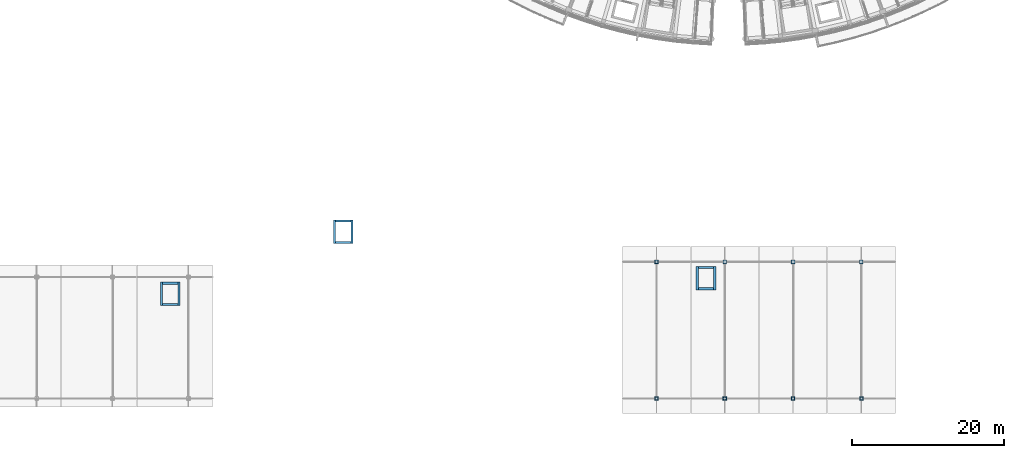
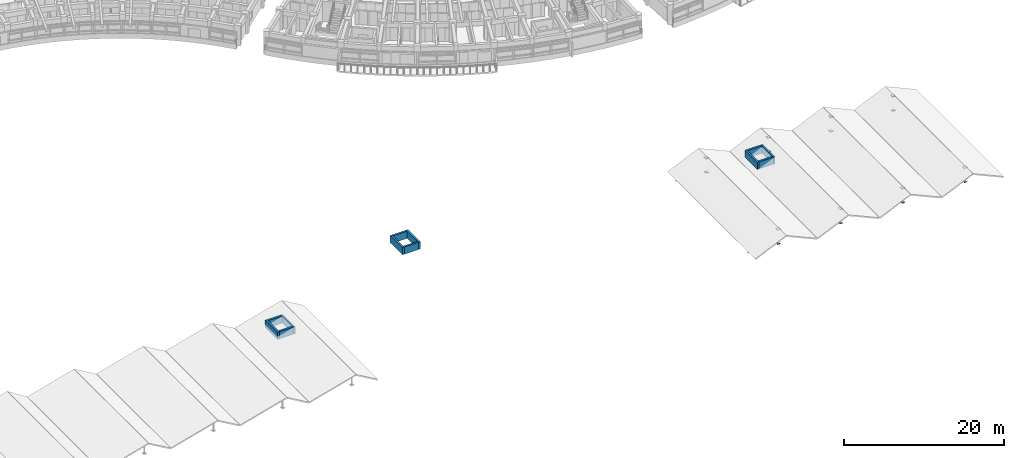
# One storey, part 40 of 70: 16 plates, 12 walls.
"""IFC4 building model written with IfcOpenShell, lengths in metres."""

import ifcopenshell
import ifcopenshell.guid

model = None  # the IFC model being written
_history = None  # IfcOwnerHistory: only IFC2X3 demands one
_inside = {}  # id of a spatial element -> (the spatial element, [elements in it])
_under = {}  # id of a project, library or spatial element -> (it, [spatial elements below it])
_declared = {}  # id of a project -> (the project, [libraries it declares])
_typed = {}  # id of a type object -> (the type object, [elements of that type])
_made_of = {}  # id of a material, layer set ... -> (it, [elements and type objects made of it])


def new_model(schema):
    """Start an empty IFC model of exactly this schema.

    Asked for "IFC4X3", IfcOpenShell would pick the latest addendum, in which some entities
    have other attributes; the version numbers below select the first issue.
    IFC2X3 requires an IfcOwnerHistory on every rooted entity: one is made here for all.
    """
    global model, _history
    if schema == "IFC4X3":
        model = ifcopenshell.file(schema_version=(4, 3, 0, 0))
    else:
        model = ifcopenshell.file(schema=schema)
    _inside.clear()
    _under.clear()
    _declared.clear()
    _typed.clear()
    _made_of.clear()
    _history = None
    if model.schema == "IFC2X3":
        org = make("IfcOrganization", Name="unknown")
        user = make(
            "IfcPersonAndOrganization",
            ThePerson=make("IfcPerson", FamilyName="unknown"),
            TheOrganization=org,
        )
        app = make(
            "IfcApplication",
            ApplicationDeveloper=org,
            Version="unknown",
            ApplicationFullName="unknown",
            ApplicationIdentifier="unknown",
        )
        _history = make(
            "IfcOwnerHistory",
            OwningUser=user,
            OwningApplication=app,
            ChangeAction="ADDED",
            CreationDate=0,
        )
    return model


def make(cls, **values):
    """One entity of the class cls with the attributes given. An attribute that is None is left unset."""
    return model.create_entity(
        cls, **{name: value for name, value in values.items() if value is not None}
    )


def rooted(cls, **values):
    """An entity with a GlobalId (a new one), such as an element, a storey or a relation."""
    return make(cls, GlobalId=ifcopenshell.guid.new(), OwnerHistory=_history, **values)


def si_unit(unit_type, name, prefix=None):
    """IfcSIUnit, for example si_unit("LENGTHUNIT", "METRE", prefix="MILLI")."""
    return make("IfcSIUnit", UnitType=unit_type, Prefix=prefix, Name=name)


def assignment(units):
    """IfcUnitAssignment: the units of a project."""
    return None if units is None else make("IfcUnitAssignment", Units=units)


def point(xyz):
    """IfcCartesianPoint."""
    return None if xyz is None else make("IfcCartesianPoint", Coordinates=xyz)


def direction(xyz):
    """IfcDirection."""
    return None if xyz is None else make("IfcDirection", DirectionRatios=xyz)


def frame(location, z_axis=None, x_axis=None):
    """IfcAxis2Placement3D, a coordinate frame: its origin and axes. An axis left out is left unset."""
    return make(
        "IfcAxis2Placement3D",
        Location=point(location),
        Axis=direction(z_axis),
        RefDirection=direction(x_axis),
    )


def frame_2d(location, x_axis=None):
    """IfcAxis2Placement2D, a coordinate frame in the plane: its origin and x axis."""
    return make(
        "IfcAxis2Placement2D", Location=point(location), RefDirection=direction(x_axis)
    )


def origin():
    """The frame at (0, 0, 0) with its axes left unset."""
    return frame((0.0, 0.0, 0.0))


def origin_2d():
    """The frame at (0, 0) in the plane with its x axis left unset."""
    return frame_2d((0.0, 0.0))


def place(relative_to, where):
    """IfcLocalPlacement: puts the frame where relative to a parent placement (None: the world)."""
    return make(
        "IfcLocalPlacement", PlacementRelTo=relative_to, RelativePlacement=where
    )


def context(
    kind, dimensions, precision=None, world=None, true_north=None, identifier=None
):
    """IfcGeometricRepresentationContext, for example the 3D "Model" context."""
    return make(
        "IfcGeometricRepresentationContext",
        ContextIdentifier=identifier,
        ContextType=kind,
        CoordinateSpaceDimension=dimensions,
        Precision=precision,
        WorldCoordinateSystem=world,
        TrueNorth=true_north,
    )


def subcontext(parent, identifier, kind, view, scale=None):
    """IfcGeometricRepresentationSubContext, for example "Body" below "Model"."""
    return make(
        "IfcGeometricRepresentationSubContext",
        ContextIdentifier=identifier,
        ContextType=kind,
        ParentContext=parent,
        TargetScale=scale,
        TargetView=view,
    )


def project(units=None, contexts=None):
    """IfcProject with its units and contexts."""
    return rooted(
        "IfcProject",
        Name="project",
        RepresentationContexts=contexts,
        UnitsInContext=assignment(units),
    )


def spatial(cls, under=None, at=None, **own):
    """A site, building, storey or space (cls), placed at a placement, below another one or the project."""
    s = rooted(cls, ObjectPlacement=at, **own)
    if under is not None:
        _under.setdefault(under.id(), (under, []))[1].append(s)
    return s


def profile(cls, at=None, kind="AREA", **sizes):
    """A parametric profile (cls). Its sizes go by their IFC names, for example OverallWidth=200.0."""
    return make(cls, ProfileType=kind, Position=at, **sizes)


def rectangle(**sizes):
    """IfcRectangleProfileDef."""
    return profile("IfcRectangleProfileDef", **sizes)


def extrude(swept, where, along, depth):
    """IfcExtrudedAreaSolid: the profile swept, set in the frame where, extruded along a direction by depth."""
    return make(
        "IfcExtrudedAreaSolid",
        SweptArea=swept,
        Position=where,
        ExtrudedDirection=direction(along),
        Depth=depth,
    )


def shape(context_of_items, identifier, shape_type, items):
    """IfcShapeRepresentation: the items that make up one representation, for example the "Body"."""
    return make(
        "IfcShapeRepresentation",
        ContextOfItems=context_of_items,
        RepresentationIdentifier=identifier,
        RepresentationType=shape_type,
        Items=items,
    )


def material(Name=None, Category=None):
    """IfcMaterial."""
    return make("IfcMaterial", Name=Name, Category=Category)


def layer(
    of_material, thickness, ventilated=None, Name=None, Category=None, Priority=None
):
    """IfcMaterialLayer: one layer of a wall or slab, of a material (None: an air gap)."""
    return make(
        "IfcMaterialLayer",
        Material=of_material,
        LayerThickness=thickness,
        IsVentilated=ventilated,
        Name=Name,
        Category=Category,
        Priority=Priority,
    )


def layer_set(layers, Name=None):
    """IfcMaterialLayerSet."""
    return make("IfcMaterialLayerSet", MaterialLayers=layers, LayerSetName=Name)


def made_of(thing, what):
    """Note that an element or type object is made of a material, layer set ...; save() writes the relation."""
    if what is not None:
        _made_of.setdefault(what.id(), (what, []))[1].append(thing)
    return thing


def type_object(cls, material=None, **own):
    """A type object (cls), such as IfcWallType, which elements share."""
    return made_of(rooted(cls, **own), material)


def element(
    cls,
    number,
    at=None,
    inside=None,
    cuts=None,
    type_object=None,
    material=None,
    context=None,
    identifier="Body",
    shape_type=None,
    held_by="IfcProductDefinitionShape",
    body=None,
    shapes=None,
    **own,
):
    """One element of the class cls, such as IfcWall. Its Tag is "e" and its number.

    at: its placement. inside: the storey or other place that contains it. cuts: it is an
    opening in that element (IfcRelVoidsElement). A single representation is given by context,
    identifier, shape_type and body (its items); several are given by shapes. held_by: the class
    of the entity that holds the representations. save() writes the other relations.
    """
    e = rooted(cls, Tag="e%d" % number, ObjectPlacement=at, **own)
    if body is not None:
        shapes = [shape(context, identifier, shape_type, body)]
    if shapes is not None:
        e.Representation = make(held_by, Representations=shapes)
    if inside is not None:
        _inside.setdefault(inside.id(), (inside, []))[1].append(e)
    if cuts is not None:
        rooted(
            "IfcRelVoidsElement", RelatingBuildingElement=cuts, RelatedOpeningElement=e
        )
    if type_object is not None:
        _typed.setdefault(type_object.id(), (type_object, []))[1].append(e)
    return made_of(e, material)


def aggregate(whole, parts):
    """IfcRelAggregates: a whole, such as a stair, and the parts it consists of."""
    return rooted("IfcRelAggregates", RelatingObject=whole, RelatedObjects=parts)


def save(model, path):
    """Write the relations noted so far, then the file.

    IfcRelAggregates (storeys below a building ...), IfcRelContainedInSpatialStructure (elements
    in a storey), IfcRelDefinesByType, IfcRelAssociatesMaterial and IfcRelDeclares: one each for
    every whole, place, type object, material and project.
    """
    for whole, parts in _under.values():
        aggregate(whole, parts)
    for where, things in _inside.values():
        rooted(
            "IfcRelContainedInSpatialStructure",
            RelatedElements=things,
            RelatingStructure=where,
        )
    for kind, things in _typed.values():
        rooted("IfcRelDefinesByType", RelatedObjects=things, RelatingType=kind)
    for what, things in _made_of.values():
        rooted("IfcRelAssociatesMaterial", RelatedObjects=things, RelatingMaterial=what)
    for by, libraries in _declared.values():
        rooted("IfcRelDeclares", RelatingContext=by, RelatedDefinitions=libraries)
    model.write(path)


model = new_model("IFC4")

# Units and contexts
model_context = context("Model", 3, precision=1e-05, world=origin(), true_north=direction((0.0, 1.0)))
body_context = subcontext(model_context, "Body", "Model", "MODEL_VIEW")
ifc_project = project(units=[si_unit("LENGTHUNIT", "METRE"), si_unit("AREAUNIT", "SQUARE_METRE"), si_unit("VOLUMEUNIT", "CUBIC_METRE"), si_unit("PLANEANGLEUNIT", "RADIAN"), si_unit("MASSUNIT", "GRAM", prefix="KILO")], contexts=[model_context])

# Site, building, storey
site_placement = place(None, origin())
site = spatial("IfcSite", under=ifc_project, at=site_placement, CompositionType="ELEMENT")
building_placement = place(site_placement, origin())
building = spatial("IfcBuilding", under=site, at=building_placement, Name="Zimvara Arc Housing Community", CompositionType="ELEMENT")
storey_placement = place(building_placement, frame((0.0, 0.0, 8.10009765625)))
storey = spatial("IfcBuildingStorey", under=building, at=storey_placement, Name="L02", CompositionType="ELEMENT", Elevation=8.10009765625)

# Plates
ifc_material_1 = material(Name="Steel S355", Category="steel")
ifc_layer_1 = layer(ifc_material_1, 0.02490234375)
ifc_layer_set_1 = layer_set([ifc_layer_1], Name="Steel S355")
plate_type_1 = type_object("IfcPlateType", Name="PLT-CONN-01", PredefinedType="SHEET", material=ifc_layer_set_1)
for number, where, z_axis, x_axis, name in (
    (1, (116.5, 21.60009765625, -0.762451171875), (0.0, 0.0, 1.0), (1.0, 0.0, 0.0), "plate:brace_end:049"),
    (2, (125.5, 21.60009765625, -0.762451171875), (0.0, 0.0, 1.0), (1.0, 0.0, 0.0), "plate:brace_end:053"),
    (3, (134.5, 21.60009765625, -0.762451171875), (0.0, 0.0, 1.0), (1.0, 0.0, 0.0), "plate:brace_end:057"),
    (4, (143.5, 21.60009765625, -0.762451171875), (0.0, 0.0, 1.0), (1.0, 0.0, 0.0), "plate:brace_end:061"),
):
    element("IfcPlate", number, at=place(storey_placement, frame(where, z_axis=z_axis, x_axis=x_axis)), inside=storey, type_object=plate_type_1, Name=name, PredefinedType="SHEET", context=body_context, shape_type="SweptSolid", body=[
        extrude(rectangle(XDim=0.449951171875, YDim=0.449951171875, at=origin_2d()), origin(), (0.0, 0.0, 1.0), 0.02490234375),
    ])
ifc_material_2 = material(Name="Steel S355", Category="steel")
ifc_layer_2 = layer(ifc_material_2, 0.030029296875)
ifc_layer_set_2 = layer_set([ifc_layer_2], Name="Steel S355")
plate_type_2 = type_object("IfcPlateType", Name="PLT-CONN-02", PredefinedType="SHEET", material=ifc_layer_set_2)
for number, where, z_axis, x_axis, name in (
    (5, (116.5, 21.60009765625, 1.43505859375), (0.0, 0.0, 1.0), (1.0, 0.0, 0.0), "plate:brace_end:050"),
    (6, (125.5, 21.60009765625, 1.43505859375), (0.0, 0.0, 1.0), (1.0, 0.0, 0.0), "plate:brace_end:054"),
    (7, (134.5, 21.60009765625, 1.43505859375), (0.0, 0.0, 1.0), (1.0, 0.0, 0.0), "plate:brace_end:058"),
    (8, (143.5, 21.60009765625, 1.43505859375), (0.0, 0.0, 1.0), (1.0, 0.0, 0.0), "plate:brace_end:062"),
):
    element("IfcPlate", number, at=place(storey_placement, frame(where, z_axis=z_axis, x_axis=x_axis)), inside=storey, type_object=plate_type_2, Name=name, PredefinedType="SHEET", context=body_context, shape_type="SweptSolid", body=[
        extrude(rectangle(XDim=0.5, YDim=0.5, at=origin_2d()), origin(), (0.0, 0.0, 1.0), 0.030029296875),
    ])
ifc_material_3 = material(Name="Steel S355", Category="steel")
ifc_layer_3 = layer(ifc_material_3, 0.02197265625)
ifc_layer_set_3 = layer_set([ifc_layer_3], Name="Steel S355")
plate_type_3 = type_object("IfcPlateType", Name="PLT-CONN-03", PredefinedType="SHEET", material=ifc_layer_set_3)
for number, where, z_axis, x_axis, name in (
    (9, (116.5, 3.60009765625, -0.760986328125), (0.0, 0.0, 1.0), (1.0, 0.0, 0.0), "plate:brace_end:047"),
    (10, (125.5, 3.60009765625, -0.760986328125), (0.0, 0.0, 1.0), (1.0, 0.0, 0.0), "plate:brace_end:051"),
    (11, (134.5, 3.60009765625, -0.760986328125), (0.0, 0.0, 1.0), (1.0, 0.0, 0.0), "plate:brace_end:055"),
    (12, (143.5, 3.60009765625, -0.760986328125), (0.0, 0.0, 1.0), (1.0, 0.0, 0.0), "plate:brace_end:059"),
):
    element("IfcPlate", number, at=place(storey_placement, frame(where, z_axis=z_axis, x_axis=x_axis)), inside=storey, type_object=plate_type_3, Name=name, PredefinedType="SHEET", context=body_context, shape_type="SweptSolid", body=[
        extrude(rectangle(XDim=0.3798828125, YDim=0.3798828125, at=origin_2d()), origin(), (0.0, 0.0, 1.0), 0.02197265625),
    ])
ifc_material_4 = material(Name="Steel S355", Category="steel")
ifc_layer_4 = layer(ifc_material_4, 0.034912109375)
ifc_layer_set_4 = layer_set([ifc_layer_4], Name="Steel S355")
plate_type_4 = type_object("IfcPlateType", Name="PLT-CONN-04", PredefinedType="SHEET", material=ifc_layer_set_4)
for number, where, z_axis, x_axis, name in (
    (13, (116.5, 3.60009765625, 1.4326171875), (0.0, 0.0, 1.0), (1.0, 0.0, 0.0), "plate:brace_end:048"),
    (14, (125.5, 3.60009765625, 1.4326171875), (0.0, 0.0, 1.0), (1.0, 0.0, 0.0), "plate:brace_end:052"),
    (15, (134.5, 3.60009765625, 1.4326171875), (0.0, 0.0, 1.0), (1.0, 0.0, 0.0), "plate:brace_end:056"),
    (16, (143.5, 3.60009765625, 1.4326171875), (0.0, 0.0, 1.0), (1.0, 0.0, 0.0), "plate:brace_end:060"),
):
    element("IfcPlate", number, at=place(storey_placement, frame(where, z_axis=z_axis, x_axis=x_axis)), inside=storey, type_object=plate_type_4, Name=name, PredefinedType="SHEET", context=body_context, shape_type="SweptSolid", body=[
        extrude(rectangle(XDim=0.550048828125, YDim=0.550048828125, at=origin_2d()), origin(), (0.0, 0.0, 1.0), 0.034912109375),
    ])

# Walls
ifc_material_5 = material(Name="Concrete C40/50", Category="concrete")
ifc_layer_5 = layer(ifc_material_5, 0.280029296875)
ifc_layer_set_5 = layer_set([ifc_layer_5], Name="Concrete C40/50")
wall_type = type_object("IfcWallType", Name="WL-CORE-280", PredefinedType="SHEAR", material=ifc_layer_set_5)
for number, where, z_axis, x_axis, name in (
    (17, (74.06494140625, 24.02490234375, 0.0), (0.0, 0.0, 1.0), (0.0, 1.0, 0.0), "lwall:LP-H1:L02:ov_front"),
    (18, (76.375, 24.02490234375, 0.0), (0.0, 0.0, 1.0), (0.0, 1.0, 0.0), "lwall:LP-H1:L02:ov_back"),
):
    element("IfcWall", number, at=place(storey_placement, frame(where, z_axis=z_axis, x_axis=x_axis)), inside=storey, type_object=wall_type, Name=name, PredefinedType="SHEAR", context=body_context, shape_type="SweptSolid", body=[
        extrude(rectangle(XDim=3.090087890625, YDim=0.280029296875, at=frame_2d((1.544921875, 0.0))), origin(), (0.0, 0.0, 1.0), 1.099853515625),
    ])
for number, where, z_axis, x_axis, name in (
    (19, (74.205078125, 24.1650390625, 0.0), (0.0, 0.0, 1.0), (1.0, 0.0, 0.0), "lwall:LP-H1:L02:ov_left"),
    (20, (74.205078125, 26.97509765625, 0.0), (0.0, 0.0, 1.0), (1.0, 0.0, 0.0), "lwall:LP-H1:L02:ov_right"),
):
    element("IfcWall", number, at=place(storey_placement, frame(where, z_axis=z_axis, x_axis=x_axis)), inside=storey, type_object=wall_type, Name=name, PredefinedType="SHEAR", context=body_context, shape_type="SweptSolid", body=[
        extrude(rectangle(XDim=2.030029296875, YDim=0.280029296875, at=frame_2d((1.01513671875, 0.0))), origin(), (0.0, 0.0, 1.0), 1.099853515625),
    ])
for number, where, z_axis, x_axis, name in (
    (21, (121.864990234375, 17.925048828125, 0.0), (0.0, 0.0, 1.0), (0.0, 1.0, 0.0), "lwall:LP-N1:L02:ov_front"),
    (22, (124.175048828125, 17.925048828125, 0.0), (0.0, 0.0, 1.0), (0.0, 1.0, 0.0), "lwall:LP-N1:L02:ov_back"),
):
    element("IfcWall", number, at=place(storey_placement, frame(where, z_axis=z_axis, x_axis=x_axis)), inside=storey, type_object=wall_type, Name=name, PredefinedType="SHEAR", context=body_context, shape_type="SweptSolid", body=[
        extrude(rectangle(XDim=3.08984375, YDim=0.280029296875, at=frame_2d((1.544921875, 0.0))), origin(), (0.0, 0.0, 1.0), 1.099853515625),
    ])
for number, where, z_axis, x_axis, name in (
    (23, (122.0048828125, 18.06494140625, 0.0), (0.0, 0.0, 1.0), (1.0, 0.0, 0.0), "lwall:LP-N1:L02:ov_left"),
    (24, (122.0048828125, 20.875, 0.0), (0.0, 0.0, 1.0), (1.0, 0.0, 0.0), "lwall:LP-N1:L02:ov_right"),
):
    element("IfcWall", number, at=place(storey_placement, frame(where, z_axis=z_axis, x_axis=x_axis)), inside=storey, type_object=wall_type, Name=name, PredefinedType="SHEAR", context=body_context, shape_type="SweptSolid", body=[
        extrude(rectangle(XDim=2.030029296875, YDim=0.280029296875, at=frame_2d((1.01513671875, 0.0))), origin(), (0.0, 0.0, 1.0), 1.099853515625),
    ])
for number, where, z_axis, x_axis, name in (
    (25, (51.264892578125, 15.824951171875, 0.0), (0.0, 0.0, 1.0), (0.0, 1.0, 0.0), "lwall:LP-S1:L02:ov_front"),
    (26, (53.574951171875, 15.824951171875, 0.0), (0.0, 0.0, 1.0), (0.0, 1.0, 0.0), "lwall:LP-S1:L02:ov_back"),
):
    element("IfcWall", number, at=place(storey_placement, frame(where, z_axis=z_axis, x_axis=x_axis)), inside=storey, type_object=wall_type, Name=name, PredefinedType="SHEAR", context=body_context, shape_type="SweptSolid", body=[
        extrude(rectangle(XDim=3.090087890625, YDim=0.280029296875, at=frame_2d((1.544921875, 0.0))), origin(), (0.0, 0.0, 1.0), 1.099853515625),
    ])
for number, where, z_axis, x_axis, name in (
    (27, (51.405029296875, 15.965087890625, 0.0), (0.0, 0.0, 1.0), (1.0, 0.0, 0.0), "lwall:LP-S1:L02:ov_left"),
    (28, (51.405029296875, 18.77490234375, 0.0), (0.0, 0.0, 1.0), (1.0, 0.0, 0.0), "lwall:LP-S1:L02:ov_right"),
):
    element("IfcWall", number, at=place(storey_placement, frame(where, z_axis=z_axis, x_axis=x_axis)), inside=storey, type_object=wall_type, Name=name, PredefinedType="SHEAR", context=body_context, shape_type="SweptSolid", body=[
        extrude(rectangle(XDim=2.030029296875, YDim=0.280029296875, at=frame_2d((1.01513671875, 0.0))), origin(), (0.0, 0.0, 1.0), 1.099853515625),
    ])

save(model, "model.ifc")
